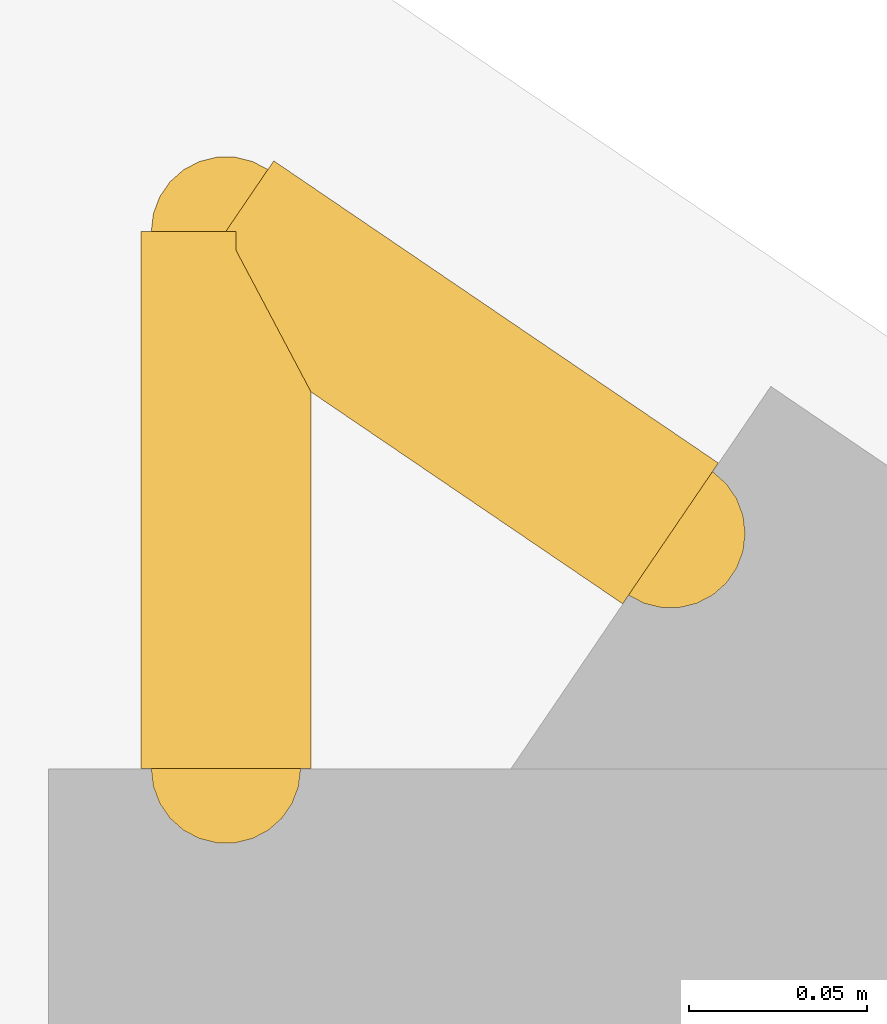
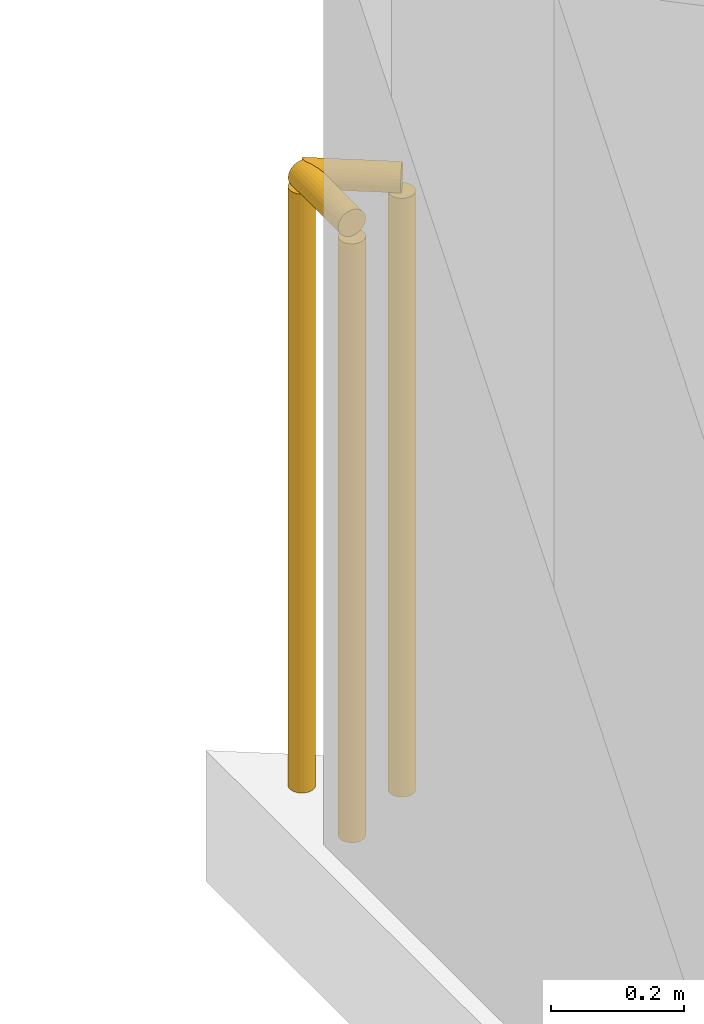
# One storey, part 21 of 22: 2 railings.
"""IFC4 building model written with IfcOpenShell, lengths in metres."""

from ifc_helpers import new_model, si_unit, direction, frame, origin, origin_2d, place, context, subcontext, project, spatial, circle, extrude, material, type_object, element, save


model = new_model("IFC4")

# Units and contexts
model_context = context("Model", 3, precision=1e-05, world=origin(), true_north=direction((0.0, 1.0)))
body_context = subcontext(model_context, "Body", "Model", "MODEL_VIEW")
ifc_project = project(units=[si_unit("LENGTHUNIT", "METRE"), si_unit("AREAUNIT", "SQUARE_METRE"), si_unit("VOLUMEUNIT", "CUBIC_METRE"), si_unit("PLANEANGLEUNIT", "RADIAN"), si_unit("MASSUNIT", "GRAM", prefix="KILO")], contexts=[model_context])

# Site, building, storey
site_placement = place(None, origin())
site = spatial("IfcSite", under=ifc_project, at=site_placement, CompositionType="ELEMENT")
building_placement = place(site_placement, origin())
building = spatial("IfcBuilding", under=site, at=building_placement, Name="Varnakote Quay Hospital", CompositionType="ELEMENT")
storey_placement = place(building_placement, frame((0.0, 0.0, 65.949951171875)))
storey = spatial("IfcBuildingStorey", under=building, at=storey_placement, Name="L16", CompositionType="ELEMENT", Elevation=65.949951171875)

# Railings
ifc_material = material(Name="Anodised aluminium 6063-T6 Bronze", Category="aluminium")
railing_type = type_object("IfcRailingType", Name="RLG-EXT-GUARD-1150", PredefinedType="GUARDRAIL", material=ifc_material)
railing_1_placement = place(storey_placement, frame((2.679931640625, 43.497802734375, 0.0)))
element("IfcRailing", 1, at=railing_1_placement, inside=storey, type_object=railing_type, Name="L16 Slab Edge Perimeter Safety Guard", PredefinedType="GUARDRAIL", context=body_context, shape_type="SweptSolid", body=[
    extrude(circle(Radius=0.02392578125, at=origin_2d()), frame((0.0, 0.0, 1.1259765625), z_axis=(0.0, 1.0, 0.0), x_axis=(-1.0, 0.0, 0.0)), (0.0, 0.0, 1.0), 0.151123046875),
    extrude(circle(Radius=0.02099609375, at=origin_2d()), origin(), (0.0, 0.0, 1.0), 1.101806640625),
    extrude(circle(Radius=0.02099609375, at=origin_2d()), frame((0.0, 0.151123046875, 0.0)), (0.0, 0.0, 1.0), 1.101806640625),
])
railing_2_placement = place(storey_placement, frame((2.679931640625, 43.64892578125, 0.0)))
element("IfcRailing", 2, at=railing_2_placement, inside=storey, type_object=railing_type, Name="L16 Slab Edge Perimeter Safety Guard", PredefinedType="GUARDRAIL", context=body_context, shape_type="SweptSolid", body=[
    extrude(circle(Radius=0.02392578125, at=origin_2d()), frame((0.0, 0.0, 1.1259765625), z_axis=(0.827046660574, -0.562133277109, 0.0), x_axis=(0.562133277109, 0.827046660574, 0.0)), (0.0, 0.0, 1.0), 0.151123046875),
    extrude(circle(Radius=0.02099609375, at=origin_2d()), origin(), (0.0, 0.0, 1.0), 1.101806640625),
    extrude(circle(Radius=0.02099609375, at=origin_2d()), frame((0.125, -0.0849609375, 0.0)), (0.0, 0.0, 1.0), 1.101806640625),
])

save(model, "model.ifc")
